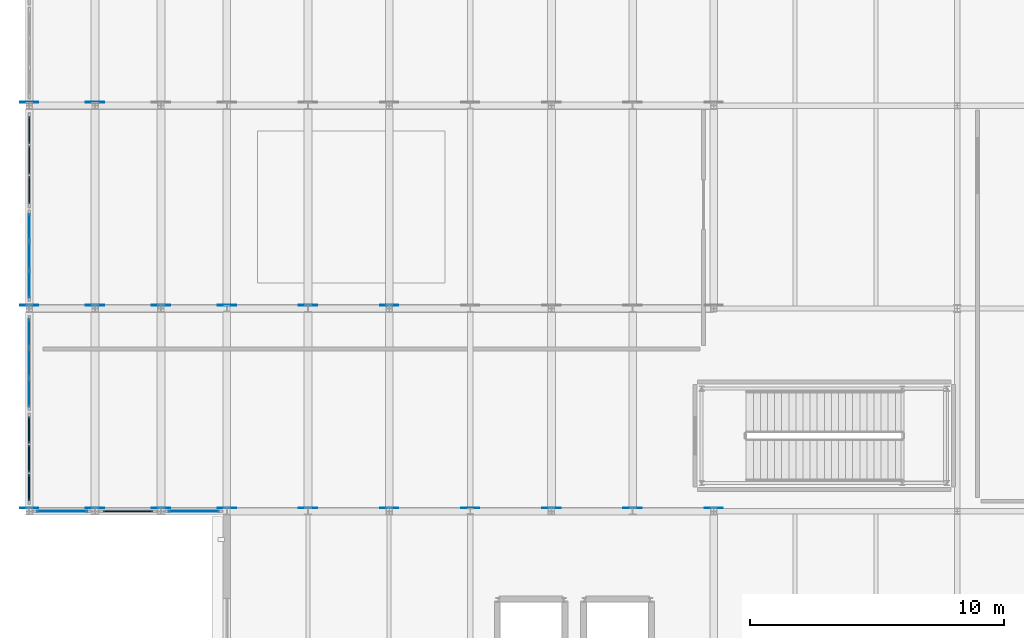
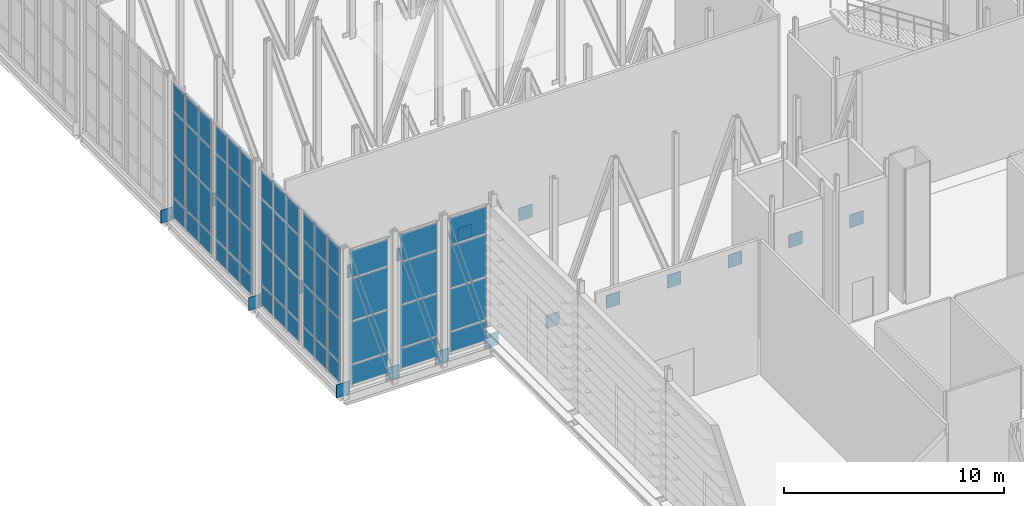
# One storey, part 48 of 73: 78 plates, 7 elements without a shape of their own.
"""IFC4 building model written with IfcOpenShell, lengths in metres."""

from ifc_helpers import new_model, si_unit, direction, frame, origin, origin_2d, place, context, subcontext, project, spatial, rectangle, extrude, material, layer, layer_set, type_object, element, aggregate, save


model = new_model("IFC4")

# Units and contexts
model_context = context("Model", 3, precision=1e-05, world=origin(), true_north=direction((0.0, 1.0)))
body_context = subcontext(model_context, "Body", "Model", "MODEL_VIEW")
ifc_project = project(units=[si_unit("LENGTHUNIT", "METRE"), si_unit("AREAUNIT", "SQUARE_METRE"), si_unit("VOLUMEUNIT", "CUBIC_METRE"), si_unit("PLANEANGLEUNIT", "RADIAN"), si_unit("MASSUNIT", "GRAM", prefix="KILO")], contexts=[model_context])

# Site, building, storey
site_placement = place(None, origin())
site = spatial("IfcSite", under=ifc_project, at=site_placement, CompositionType="ELEMENT")
building_placement = place(site_placement, origin())
building = spatial("IfcBuilding", under=site, at=building_placement, Name="Alderhovde Museum", CompositionType="ELEMENT")
storey_placement = place(building_placement, frame((0.0, 0.0, 17.39990234375)))
storey = spatial("IfcBuildingStorey", under=building, at=storey_placement, Name="L04", CompositionType="ELEMENT", Elevation=17.39990234375)

# Curtain wall, plates
ifc_material_1 = material(Name="Triple-Glazed Bronze-Anodised Curtain Wall", Category="glass")
ifc_layer_1 = layer(ifc_material_1, 0.219970703125)
ifc_layer_set_1 = layer_set([ifc_layer_1], Name="Triple-Glazed Bronze-Anodised Curtain Wall")
curtain_wall_type_1 = type_object("IfcCurtainWallType", Name="CW-UNIT-360x760", PredefinedType="USERDEFINED", material=ifc_layer_set_1)
curtain_wall_1_placement = place(storey_placement, origin())
curtain_wall_1 = element("IfcCurtainWall", 1, at=curtain_wall_1_placement, inside=storey, type_object=curtain_wall_type_1, Name="L04 Unitised Curtain Wall 112", ObjectType="UNITISED CURTAIN WALL", PredefinedType="USERDEFINED")
ifc_material_2 = material(Name="Triple-Glazed Low-E Laminated Glass", Category="glass")
ifc_layer_2 = layer(ifc_material_2, 0.028076171875)
ifc_layer_set_2 = layer_set([ifc_layer_2], Name="Triple-Glazed Low-E Laminated Glass")
plate_type_1 = type_object("IfcPlateType", Name="CWP-GLAZ-28", PredefinedType="CURTAIN_PANEL", material=ifc_layer_set_2)
plate_1_placement = place(storey_placement, frame((1.800048828125, 84.668701171875, 0.0751953125), z_axis=(0.0, 0.0, 1.0), x_axis=(0.0, 1.0, 0.0)))
plate_1 = element("IfcPlate", 2, at=plate_1_placement, type_object=plate_type_1, Name="CW28 panel 1.1", PredefinedType="CURTAIN_PANEL", context=body_context, shape_type="SweptSolid", body=[
    extrude(rectangle(XDim=1.08740234375, YDim=0.028076171875, at=origin_2d()), origin(), (0.0, 0.0, 1.0), 1.08740234375),
])
plate_2_placement = place(storey_placement, frame((1.800048828125, 84.668701171875, 1.23779296875), z_axis=(0.0, 0.0, 1.0), x_axis=(0.0, 1.0, 0.0)))
plate_2 = element("IfcPlate", 3, at=plate_2_placement, type_object=plate_type_1, Name="CW28 panel 1.2", PredefinedType="CURTAIN_PANEL", context=body_context, shape_type="SweptSolid", body=[
    extrude(rectangle(XDim=1.08740234375, YDim=0.028076171875, at=origin_2d()), origin(), (0.0, 0.0, 1.0), 2.324951171875),
])
plate_3_placement = place(storey_placement, frame((1.800048828125, 84.668701171875, 3.6376953125), z_axis=(0.0, 0.0, 1.0), x_axis=(0.0, 1.0, 0.0)))
plate_3 = element("IfcPlate", 4, at=plate_3_placement, type_object=plate_type_1, Name="CW28 panel 1.3", PredefinedType="CURTAIN_PANEL", context=body_context, shape_type="SweptSolid", body=[
    extrude(rectangle(XDim=1.08740234375, YDim=0.028076171875, at=origin_2d()), origin(), (0.0, 0.0, 1.0), 2.324951171875),
])
plate_4_placement = place(storey_placement, frame((1.800048828125, 84.668701171875, 6.03759765625), z_axis=(0.0, 0.0, 1.0), x_axis=(0.0, 1.0, 0.0)))
plate_4 = element("IfcPlate", 5, at=plate_4_placement, type_object=plate_type_1, Name="CW28 panel 1.4", PredefinedType="CURTAIN_PANEL", context=body_context, shape_type="SweptSolid", body=[
    extrude(rectangle(XDim=1.08740234375, YDim=0.028076171875, at=origin_2d()), origin(), (0.0, 0.0, 1.0), 1.487548828125),
])
plate_5_placement = place(storey_placement, frame((1.800048828125, 85.85009765625, 0.0751953125), z_axis=(0.0, 0.0, 1.0), x_axis=(0.0, 1.0, 0.0)))
plate_5 = element("IfcPlate", 6, at=plate_5_placement, type_object=plate_type_1, Name="CW28 panel 2.1", PredefinedType="CURTAIN_PANEL", context=body_context, shape_type="SweptSolid", body=[
    extrude(rectangle(XDim=1.125, YDim=0.028076171875, at=origin_2d()), origin(), (0.0, 0.0, 1.0), 1.08740234375),
])
plate_6_placement = place(storey_placement, frame((1.800048828125, 85.85009765625, 1.23779296875), z_axis=(0.0, 0.0, 1.0), x_axis=(0.0, 1.0, 0.0)))
plate_6 = element("IfcPlate", 7, at=plate_6_placement, type_object=plate_type_1, Name="CW28 panel 2.2", PredefinedType="CURTAIN_PANEL", context=body_context, shape_type="SweptSolid", body=[
    extrude(rectangle(XDim=1.125, YDim=0.028076171875, at=origin_2d()), origin(), (0.0, 0.0, 1.0), 2.324951171875),
])
plate_7_placement = place(storey_placement, frame((1.800048828125, 85.85009765625, 3.6376953125), z_axis=(0.0, 0.0, 1.0), x_axis=(0.0, 1.0, 0.0)))
plate_7 = element("IfcPlate", 8, at=plate_7_placement, type_object=plate_type_1, Name="CW28 panel 2.3", PredefinedType="CURTAIN_PANEL", context=body_context, shape_type="SweptSolid", body=[
    extrude(rectangle(XDim=1.125, YDim=0.028076171875, at=origin_2d()), origin(), (0.0, 0.0, 1.0), 2.324951171875),
])
plate_8_placement = place(storey_placement, frame((1.800048828125, 85.85009765625, 6.03759765625), z_axis=(0.0, 0.0, 1.0), x_axis=(0.0, 1.0, 0.0)))
plate_8 = element("IfcPlate", 9, at=plate_8_placement, type_object=plate_type_1, Name="CW28 panel 2.4", PredefinedType="CURTAIN_PANEL", context=body_context, shape_type="SweptSolid", body=[
    extrude(rectangle(XDim=1.125, YDim=0.028076171875, at=origin_2d()), origin(), (0.0, 0.0, 1.0), 1.487548828125),
])
plate_9_placement = place(storey_placement, frame((1.800048828125, 87.03125, 0.0751953125), z_axis=(0.0, 0.0, 1.0), x_axis=(0.0, 1.0, 0.0)))
plate_9 = element("IfcPlate", 10, at=plate_9_placement, type_object=plate_type_1, Name="CW28 panel 3.1", PredefinedType="CURTAIN_PANEL", context=body_context, shape_type="SweptSolid", body=[
    extrude(rectangle(XDim=1.08740234375, YDim=0.028076171875, at=origin_2d()), origin(), (0.0, 0.0, 1.0), 1.08740234375),
])
plate_10_placement = place(storey_placement, frame((1.800048828125, 87.03125, 1.23779296875), z_axis=(0.0, 0.0, 1.0), x_axis=(0.0, 1.0, 0.0)))
plate_10 = element("IfcPlate", 11, at=plate_10_placement, type_object=plate_type_1, Name="CW28 panel 3.2", PredefinedType="CURTAIN_PANEL", context=body_context, shape_type="SweptSolid", body=[
    extrude(rectangle(XDim=1.08740234375, YDim=0.028076171875, at=origin_2d()), origin(), (0.0, 0.0, 1.0), 2.324951171875),
])
plate_11_placement = place(storey_placement, frame((1.800048828125, 87.03125, 3.6376953125), z_axis=(0.0, 0.0, 1.0), x_axis=(0.0, 1.0, 0.0)))
plate_11 = element("IfcPlate", 12, at=plate_11_placement, type_object=plate_type_1, Name="CW28 panel 3.3", PredefinedType="CURTAIN_PANEL", context=body_context, shape_type="SweptSolid", body=[
    extrude(rectangle(XDim=1.08740234375, YDim=0.028076171875, at=origin_2d()), origin(), (0.0, 0.0, 1.0), 2.324951171875),
])
plate_12_placement = place(storey_placement, frame((1.800048828125, 87.03125, 6.03759765625), z_axis=(0.0, 0.0, 1.0), x_axis=(0.0, 1.0, 0.0)))
plate_12 = element("IfcPlate", 13, at=plate_12_placement, type_object=plate_type_1, Name="CW28 panel 3.4", PredefinedType="CURTAIN_PANEL", context=body_context, shape_type="SweptSolid", body=[
    extrude(rectangle(XDim=1.08740234375, YDim=0.028076171875, at=origin_2d()), origin(), (0.0, 0.0, 1.0), 1.487548828125),
])
aggregate(curtain_wall_1, [plate_1, plate_2, plate_3, plate_4, plate_5, plate_6, plate_7, plate_8, plate_9, plate_10, plate_11, plate_12])

ifc_material_3 = material(Name="Triple-Glazed Bronze-Anodised Curtain Wall", Category="glass")
ifc_layer_3 = layer(ifc_material_3, 0.219970703125)
ifc_layer_set_3 = layer_set([ifc_layer_3], Name="Triple-Glazed Bronze-Anodised Curtain Wall")
curtain_wall_type_2 = type_object("IfcCurtainWallType", Name="CW-UNIT-212x760", PredefinedType="USERDEFINED", material=ifc_layer_set_3)
curtain_wall_2_placement = place(storey_placement, origin())
curtain_wall_2 = element("IfcCurtainWall", 14, at=curtain_wall_2_placement, inside=storey, type_object=curtain_wall_type_2, Name="L04 Unitised Curtain Wall 120", ObjectType="UNITISED CURTAIN WALL", PredefinedType="USERDEFINED")
plate_13_placement = place(storey_placement, frame((3.10009765625, 80.0, 0.0751953125), z_axis=(0.0, 0.0, 1.0), x_axis=(1.0, 0.0, 0.0)))
plate_13 = element("IfcPlate", 15, at=plate_13_placement, type_object=plate_type_1, Name="CW29 panel 1.1", PredefinedType="CURTAIN_PANEL", context=body_context, shape_type="SweptSolid", body=[
    extrude(rectangle(XDim=1.969970703125, YDim=0.028076171875, at=origin_2d()), origin(), (0.0, 0.0, 1.0), 1.08740234375),
])
plate_14_placement = place(storey_placement, frame((3.10009765625, 80.0, 1.23779296875), z_axis=(0.0, 0.0, 1.0), x_axis=(1.0, 0.0, 0.0)))
plate_14 = element("IfcPlate", 16, at=plate_14_placement, type_object=plate_type_1, Name="CW29 panel 1.2", PredefinedType="CURTAIN_PANEL", context=body_context, shape_type="SweptSolid", body=[
    extrude(rectangle(XDim=1.969970703125, YDim=0.028076171875, at=origin_2d()), origin(), (0.0, 0.0, 1.0), 2.324951171875),
])
plate_15_placement = place(storey_placement, frame((3.10009765625, 80.0, 3.6376953125), z_axis=(0.0, 0.0, 1.0), x_axis=(1.0, 0.0, 0.0)))
plate_15 = element("IfcPlate", 17, at=plate_15_placement, type_object=plate_type_1, Name="CW29 panel 1.3", PredefinedType="CURTAIN_PANEL", context=body_context, shape_type="SweptSolid", body=[
    extrude(rectangle(XDim=1.969970703125, YDim=0.028076171875, at=origin_2d()), origin(), (0.0, 0.0, 1.0), 2.324951171875),
])
plate_16_placement = place(storey_placement, frame((3.10009765625, 80.0, 6.03759765625), z_axis=(0.0, 0.0, 1.0), x_axis=(1.0, 0.0, 0.0)))
plate_16 = element("IfcPlate", 18, at=plate_16_placement, type_object=plate_type_1, Name="CW29 panel 1.4", PredefinedType="CURTAIN_PANEL", context=body_context, shape_type="SweptSolid", body=[
    extrude(rectangle(XDim=1.969970703125, YDim=0.028076171875, at=origin_2d()), origin(), (0.0, 0.0, 1.0), 1.487548828125),
])
aggregate(curtain_wall_2, [plate_13, plate_14, plate_15, plate_16])

curtain_wall_3_placement = place(storey_placement, origin())
curtain_wall_3 = element("IfcCurtainWall", 19, at=curtain_wall_3_placement, inside=storey, type_object=curtain_wall_type_2, Name="L04 Unitised Curtain Wall 124", ObjectType="UNITISED CURTAIN WALL", PredefinedType="USERDEFINED")
plate_17_placement = place(storey_placement, frame((8.300048828125, 80.0, 0.0751953125), z_axis=(0.0, 0.0, 1.0), x_axis=(1.0, 0.0, 0.0)))
plate_17 = element("IfcPlate", 20, at=plate_17_placement, type_object=plate_type_1, Name="CW29 panel 1.1", PredefinedType="CURTAIN_PANEL", context=body_context, shape_type="SweptSolid", body=[
    extrude(rectangle(XDim=1.969970703125, YDim=0.028076171875, at=origin_2d()), origin(), (0.0, 0.0, 1.0), 1.08740234375),
])
plate_18_placement = place(storey_placement, frame((8.300048828125, 80.0, 1.23779296875), z_axis=(0.0, 0.0, 1.0), x_axis=(1.0, 0.0, 0.0)))
plate_18 = element("IfcPlate", 21, at=plate_18_placement, type_object=plate_type_1, Name="CW29 panel 1.2", PredefinedType="CURTAIN_PANEL", context=body_context, shape_type="SweptSolid", body=[
    extrude(rectangle(XDim=1.969970703125, YDim=0.028076171875, at=origin_2d()), origin(), (0.0, 0.0, 1.0), 2.324951171875),
])
plate_19_placement = place(storey_placement, frame((8.300048828125, 80.0, 3.6376953125), z_axis=(0.0, 0.0, 1.0), x_axis=(1.0, 0.0, 0.0)))
plate_19 = element("IfcPlate", 22, at=plate_19_placement, type_object=plate_type_1, Name="CW29 panel 1.3", PredefinedType="CURTAIN_PANEL", context=body_context, shape_type="SweptSolid", body=[
    extrude(rectangle(XDim=1.969970703125, YDim=0.028076171875, at=origin_2d()), origin(), (0.0, 0.0, 1.0), 2.324951171875),
])
plate_20_placement = place(storey_placement, frame((8.300048828125, 80.0, 6.03759765625), z_axis=(0.0, 0.0, 1.0), x_axis=(1.0, 0.0, 0.0)))
plate_20 = element("IfcPlate", 23, at=plate_20_placement, type_object=plate_type_1, Name="CW29 panel 1.4", PredefinedType="CURTAIN_PANEL", context=body_context, shape_type="SweptSolid", body=[
    extrude(rectangle(XDim=1.969970703125, YDim=0.028076171875, at=origin_2d()), origin(), (0.0, 0.0, 1.0), 1.487548828125),
])
aggregate(curtain_wall_3, [plate_17, plate_18, plate_19, plate_20])

ifc_material_4 = material(Name="Triple-Glazed Bronze-Anodised Curtain Wall", Category="glass")
ifc_layer_4 = layer(ifc_material_4, 0.219970703125)
ifc_layer_set_4 = layer_set([ifc_layer_4], Name="Triple-Glazed Bronze-Anodised Curtain Wall")
curtain_wall_type_3 = type_object("IfcCurtainWallType", Name="CW-UNIT-345x760", PredefinedType="USERDEFINED", material=ifc_layer_set_4)
curtain_wall_4_placement = place(storey_placement, origin())
curtain_wall_4 = element("IfcCurtainWall", 24, at=curtain_wall_4_placement, inside=storey, type_object=curtain_wall_type_3, Name="L04 Unitised Curtain Wall 113", ObjectType="UNITISED CURTAIN WALL", PredefinedType="USERDEFINED")
ifc_material_5 = material(Name="Triple-Glazed Low-E Laminated Glass", Category="glass")
ifc_layer_5 = layer(ifc_material_5, 0.035888671875)
ifc_layer_set_5 = layer_set([ifc_layer_5], Name="Triple-Glazed Low-E Laminated Glass")
plate_type_2 = type_object("IfcPlateType", Name="CWP-GLAZ-36", PredefinedType="CURTAIN_PANEL", material=ifc_layer_set_5)
plate_21_placement = place(storey_placement, frame((1.800048828125, 88.94384765625, 0.0751953125), z_axis=(0.0, 0.0, 1.0), x_axis=(0.0, 1.0, 0.0)))
plate_21 = element("IfcPlate", 25, at=plate_21_placement, type_object=plate_type_2, Name="CW27 panel 1.1", PredefinedType="CURTAIN_PANEL", context=body_context, shape_type="SweptSolid", body=[
    extrude(rectangle(XDim=1.03759765625, YDim=0.035888671875, at=origin_2d()), origin(), (0.0, 0.0, 1.0), 1.08740234375),
])
plate_22_placement = place(storey_placement, frame((1.800048828125, 88.94384765625, 1.23779296875), z_axis=(0.0, 0.0, 1.0), x_axis=(0.0, 1.0, 0.0)))
plate_22 = element("IfcPlate", 26, at=plate_22_placement, type_object=plate_type_2, Name="CW27 panel 1.2", PredefinedType="CURTAIN_PANEL", context=body_context, shape_type="SweptSolid", body=[
    extrude(rectangle(XDim=1.03759765625, YDim=0.035888671875, at=origin_2d()), origin(), (0.0, 0.0, 1.0), 2.324951171875),
])
plate_23_placement = place(storey_placement, frame((1.800048828125, 88.94384765625, 3.6376953125), z_axis=(0.0, 0.0, 1.0), x_axis=(0.0, 1.0, 0.0)))
plate_23 = element("IfcPlate", 27, at=plate_23_placement, type_object=plate_type_2, Name="CW27 panel 1.3", PredefinedType="CURTAIN_PANEL", context=body_context, shape_type="SweptSolid", body=[
    extrude(rectangle(XDim=1.03759765625, YDim=0.035888671875, at=origin_2d()), origin(), (0.0, 0.0, 1.0), 2.324951171875),
])
plate_24_placement = place(storey_placement, frame((1.800048828125, 88.94384765625, 6.03759765625), z_axis=(0.0, 0.0, 1.0), x_axis=(0.0, 1.0, 0.0)))
plate_24 = element("IfcPlate", 28, at=plate_24_placement, type_object=plate_type_2, Name="CW27 panel 1.4", PredefinedType="CURTAIN_PANEL", context=body_context, shape_type="SweptSolid", body=[
    extrude(rectangle(XDim=1.03759765625, YDim=0.035888671875, at=origin_2d()), origin(), (0.0, 0.0, 1.0), 1.487548828125),
])
plate_25_placement = place(storey_placement, frame((1.800048828125, 90.074951171875, 0.0751953125), z_axis=(0.0, 0.0, 1.0), x_axis=(0.0, 1.0, 0.0)))
plate_25 = element("IfcPlate", 29, at=plate_25_placement, type_object=plate_type_2, Name="CW27 panel 2.1", PredefinedType="CURTAIN_PANEL", context=body_context, shape_type="SweptSolid", body=[
    extrude(rectangle(XDim=1.074951171875, YDim=0.035888671875, at=origin_2d()), origin(), (0.0, 0.0, 1.0), 1.08740234375),
])
plate_26_placement = place(storey_placement, frame((1.800048828125, 90.074951171875, 1.23779296875), z_axis=(0.0, 0.0, 1.0), x_axis=(0.0, 1.0, 0.0)))
plate_26 = element("IfcPlate", 30, at=plate_26_placement, type_object=plate_type_2, Name="CW27 panel 2.2", PredefinedType="CURTAIN_PANEL", context=body_context, shape_type="SweptSolid", body=[
    extrude(rectangle(XDim=1.074951171875, YDim=0.035888671875, at=origin_2d()), origin(), (0.0, 0.0, 1.0), 2.324951171875),
])
plate_27_placement = place(storey_placement, frame((1.800048828125, 90.074951171875, 3.6376953125), z_axis=(0.0, 0.0, 1.0), x_axis=(0.0, 1.0, 0.0)))
plate_27 = element("IfcPlate", 31, at=plate_27_placement, type_object=plate_type_2, Name="CW27 panel 2.3", PredefinedType="CURTAIN_PANEL", context=body_context, shape_type="SweptSolid", body=[
    extrude(rectangle(XDim=1.074951171875, YDim=0.035888671875, at=origin_2d()), origin(), (0.0, 0.0, 1.0), 2.324951171875),
])
plate_28_placement = place(storey_placement, frame((1.800048828125, 90.074951171875, 6.03759765625), z_axis=(0.0, 0.0, 1.0), x_axis=(0.0, 1.0, 0.0)))
plate_28 = element("IfcPlate", 32, at=plate_28_placement, type_object=plate_type_2, Name="CW27 panel 2.4", PredefinedType="CURTAIN_PANEL", context=body_context, shape_type="SweptSolid", body=[
    extrude(rectangle(XDim=1.074951171875, YDim=0.035888671875, at=origin_2d()), origin(), (0.0, 0.0, 1.0), 1.487548828125),
])
plate_29_placement = place(storey_placement, frame((1.800048828125, 91.206298828125, 0.0751953125), z_axis=(0.0, 0.0, 1.0), x_axis=(0.0, 1.0, 0.0)))
plate_29 = element("IfcPlate", 33, at=plate_29_placement, type_object=plate_type_2, Name="CW27 panel 3.1", PredefinedType="CURTAIN_PANEL", context=body_context, shape_type="SweptSolid", body=[
    extrude(rectangle(XDim=1.03759765625, YDim=0.035888671875, at=origin_2d()), origin(), (0.0, 0.0, 1.0), 1.08740234375),
])
plate_30_placement = place(storey_placement, frame((1.800048828125, 91.206298828125, 1.23779296875), z_axis=(0.0, 0.0, 1.0), x_axis=(0.0, 1.0, 0.0)))
plate_30 = element("IfcPlate", 34, at=plate_30_placement, type_object=plate_type_2, Name="CW27 panel 3.2", PredefinedType="CURTAIN_PANEL", context=body_context, shape_type="SweptSolid", body=[
    extrude(rectangle(XDim=1.03759765625, YDim=0.035888671875, at=origin_2d()), origin(), (0.0, 0.0, 1.0), 2.324951171875),
])
plate_31_placement = place(storey_placement, frame((1.800048828125, 91.206298828125, 3.6376953125), z_axis=(0.0, 0.0, 1.0), x_axis=(0.0, 1.0, 0.0)))
plate_31 = element("IfcPlate", 35, at=plate_31_placement, type_object=plate_type_2, Name="CW27 panel 3.3", PredefinedType="CURTAIN_PANEL", context=body_context, shape_type="SweptSolid", body=[
    extrude(rectangle(XDim=1.03759765625, YDim=0.035888671875, at=origin_2d()), origin(), (0.0, 0.0, 1.0), 2.324951171875),
])
plate_32_placement = place(storey_placement, frame((1.800048828125, 91.206298828125, 6.03759765625), z_axis=(0.0, 0.0, 1.0), x_axis=(0.0, 1.0, 0.0)))
plate_32 = element("IfcPlate", 36, at=plate_32_placement, type_object=plate_type_2, Name="CW27 panel 3.4", PredefinedType="CURTAIN_PANEL", context=body_context, shape_type="SweptSolid", body=[
    extrude(rectangle(XDim=1.03759765625, YDim=0.035888671875, at=origin_2d()), origin(), (0.0, 0.0, 1.0), 1.487548828125),
])
aggregate(curtain_wall_4, [plate_21, plate_22, plate_23, plate_24, plate_25, plate_26, plate_27, plate_28, plate_29, plate_30, plate_31, plate_32])

curtain_wall_5_placement = place(storey_placement, origin())
curtain_wall_5 = element("IfcCurtainWall", 37, at=curtain_wall_5_placement, inside=storey, type_object=curtain_wall_type_1, Name="L04 Unitised Curtain Wall 114", ObjectType="UNITISED CURTAIN WALL", PredefinedType="USERDEFINED")
ifc_material_6 = material(Name="Triple-Glazed Low-E Laminated Glass", Category="glass")
ifc_layer_6 = layer(ifc_material_6, 0.0439453125)
ifc_layer_set_6 = layer_set([ifc_layer_6], Name="Triple-Glazed Low-E Laminated Glass")
plate_type_3 = type_object("IfcPlateType", Name="CWP-GLAZ-44", PredefinedType="CURTAIN_PANEL", material=ifc_layer_set_6)
plate_33_placement = place(storey_placement, frame((1.800048828125, 92.668701171875, 0.0751953125), z_axis=(0.0, 0.0, 1.0), x_axis=(0.0, 1.0, 0.0)))
plate_33 = element("IfcPlate", 38, at=plate_33_placement, type_object=plate_type_3, Name="CW28 panel 1.1", PredefinedType="CURTAIN_PANEL", context=body_context, shape_type="SweptSolid", body=[
    extrude(rectangle(XDim=1.08740234375, YDim=0.0439453125, at=origin_2d()), origin(), (0.0, 0.0, 1.0), 1.08740234375),
])
plate_34_placement = place(storey_placement, frame((1.800048828125, 92.668701171875, 1.23779296875), z_axis=(0.0, 0.0, 1.0), x_axis=(0.0, 1.0, 0.0)))
plate_34 = element("IfcPlate", 39, at=plate_34_placement, type_object=plate_type_3, Name="CW28 panel 1.2", PredefinedType="CURTAIN_PANEL", context=body_context, shape_type="SweptSolid", body=[
    extrude(rectangle(XDim=1.08740234375, YDim=0.0439453125, at=origin_2d()), origin(), (0.0, 0.0, 1.0), 2.324951171875),
])
plate_35_placement = place(storey_placement, frame((1.800048828125, 92.668701171875, 3.6376953125), z_axis=(0.0, 0.0, 1.0), x_axis=(0.0, 1.0, 0.0)))
plate_35 = element("IfcPlate", 40, at=plate_35_placement, type_object=plate_type_3, Name="CW28 panel 1.3", PredefinedType="CURTAIN_PANEL", context=body_context, shape_type="SweptSolid", body=[
    extrude(rectangle(XDim=1.08740234375, YDim=0.0439453125, at=origin_2d()), origin(), (0.0, 0.0, 1.0), 2.324951171875),
])
plate_36_placement = place(storey_placement, frame((1.800048828125, 92.668701171875, 6.03759765625), z_axis=(0.0, 0.0, 1.0), x_axis=(0.0, 1.0, 0.0)))
plate_36 = element("IfcPlate", 41, at=plate_36_placement, type_object=plate_type_3, Name="CW28 panel 1.4", PredefinedType="CURTAIN_PANEL", context=body_context, shape_type="SweptSolid", body=[
    extrude(rectangle(XDim=1.08740234375, YDim=0.0439453125, at=origin_2d()), origin(), (0.0, 0.0, 1.0), 1.487548828125),
])
plate_37_placement = place(storey_placement, frame((1.800048828125, 93.85009765625, 0.0751953125), z_axis=(0.0, 0.0, 1.0), x_axis=(0.0, 1.0, 0.0)))
plate_37 = element("IfcPlate", 42, at=plate_37_placement, type_object=plate_type_3, Name="CW28 panel 2.1", PredefinedType="CURTAIN_PANEL", context=body_context, shape_type="SweptSolid", body=[
    extrude(rectangle(XDim=1.125, YDim=0.0439453125, at=origin_2d()), origin(), (0.0, 0.0, 1.0), 1.08740234375),
])
plate_38_placement = place(storey_placement, frame((1.800048828125, 93.85009765625, 1.23779296875), z_axis=(0.0, 0.0, 1.0), x_axis=(0.0, 1.0, 0.0)))
plate_38 = element("IfcPlate", 43, at=plate_38_placement, type_object=plate_type_3, Name="CW28 panel 2.2", PredefinedType="CURTAIN_PANEL", context=body_context, shape_type="SweptSolid", body=[
    extrude(rectangle(XDim=1.125, YDim=0.0439453125, at=origin_2d()), origin(), (0.0, 0.0, 1.0), 2.324951171875),
])
plate_39_placement = place(storey_placement, frame((1.800048828125, 93.85009765625, 3.6376953125), z_axis=(0.0, 0.0, 1.0), x_axis=(0.0, 1.0, 0.0)))
plate_39 = element("IfcPlate", 44, at=plate_39_placement, type_object=plate_type_3, Name="CW28 panel 2.3", PredefinedType="CURTAIN_PANEL", context=body_context, shape_type="SweptSolid", body=[
    extrude(rectangle(XDim=1.125, YDim=0.0439453125, at=origin_2d()), origin(), (0.0, 0.0, 1.0), 2.324951171875),
])
plate_40_placement = place(storey_placement, frame((1.800048828125, 93.85009765625, 6.03759765625), z_axis=(0.0, 0.0, 1.0), x_axis=(0.0, 1.0, 0.0)))
plate_40 = element("IfcPlate", 45, at=plate_40_placement, type_object=plate_type_3, Name="CW28 panel 2.4", PredefinedType="CURTAIN_PANEL", context=body_context, shape_type="SweptSolid", body=[
    extrude(rectangle(XDim=1.125, YDim=0.0439453125, at=origin_2d()), origin(), (0.0, 0.0, 1.0), 1.487548828125),
])
plate_41_placement = place(storey_placement, frame((1.800048828125, 95.03125, 0.0751953125), z_axis=(0.0, 0.0, 1.0), x_axis=(0.0, 1.0, 0.0)))
plate_41 = element("IfcPlate", 46, at=plate_41_placement, type_object=plate_type_3, Name="CW28 panel 3.1", PredefinedType="CURTAIN_PANEL", context=body_context, shape_type="SweptSolid", body=[
    extrude(rectangle(XDim=1.08740234375, YDim=0.0439453125, at=origin_2d()), origin(), (0.0, 0.0, 1.0), 1.08740234375),
])
plate_42_placement = place(storey_placement, frame((1.800048828125, 95.03125, 1.23779296875), z_axis=(0.0, 0.0, 1.0), x_axis=(0.0, 1.0, 0.0)))
plate_42 = element("IfcPlate", 47, at=plate_42_placement, type_object=plate_type_3, Name="CW28 panel 3.2", PredefinedType="CURTAIN_PANEL", context=body_context, shape_type="SweptSolid", body=[
    extrude(rectangle(XDim=1.08740234375, YDim=0.0439453125, at=origin_2d()), origin(), (0.0, 0.0, 1.0), 2.324951171875),
])
plate_43_placement = place(storey_placement, frame((1.800048828125, 95.03125, 3.6376953125), z_axis=(0.0, 0.0, 1.0), x_axis=(0.0, 1.0, 0.0)))
plate_43 = element("IfcPlate", 48, at=plate_43_placement, type_object=plate_type_3, Name="CW28 panel 3.3", PredefinedType="CURTAIN_PANEL", context=body_context, shape_type="SweptSolid", body=[
    extrude(rectangle(XDim=1.08740234375, YDim=0.0439453125, at=origin_2d()), origin(), (0.0, 0.0, 1.0), 2.324951171875),
])
plate_44_placement = place(storey_placement, frame((1.800048828125, 95.03125, 6.03759765625), z_axis=(0.0, 0.0, 1.0), x_axis=(0.0, 1.0, 0.0)))
plate_44 = element("IfcPlate", 49, at=plate_44_placement, type_object=plate_type_3, Name="CW28 panel 3.4", PredefinedType="CURTAIN_PANEL", context=body_context, shape_type="SweptSolid", body=[
    extrude(rectangle(XDim=1.08740234375, YDim=0.0439453125, at=origin_2d()), origin(), (0.0, 0.0, 1.0), 1.487548828125),
])
aggregate(curtain_wall_5, [plate_33, plate_34, plate_35, plate_36, plate_37, plate_38, plate_39, plate_40, plate_41, plate_42, plate_43, plate_44])

curtain_wall_6_placement = place(storey_placement, origin())
curtain_wall_6 = element("IfcCurtainWall", 50, at=curtain_wall_6_placement, inside=storey, type_object=curtain_wall_type_2, Name="L04 Unitised Curtain Wall 122", ObjectType="UNITISED CURTAIN WALL", PredefinedType="USERDEFINED")
plate_45_placement = place(storey_placement, frame((5.699951171875, 80.0, 0.0751953125), z_axis=(0.0, 0.0, 1.0), x_axis=(1.0, 0.0, 0.0)))
plate_45 = element("IfcPlate", 51, at=plate_45_placement, type_object=plate_type_3, Name="CW29 panel 1.1", PredefinedType="CURTAIN_PANEL", context=body_context, shape_type="SweptSolid", body=[
    extrude(rectangle(XDim=1.969970703125, YDim=0.0439453125, at=origin_2d()), origin(), (0.0, 0.0, 1.0), 1.08740234375),
])
plate_46_placement = place(storey_placement, frame((5.699951171875, 80.0, 1.23779296875), z_axis=(0.0, 0.0, 1.0), x_axis=(1.0, 0.0, 0.0)))
plate_46 = element("IfcPlate", 52, at=plate_46_placement, type_object=plate_type_3, Name="CW29 panel 1.2", PredefinedType="CURTAIN_PANEL", context=body_context, shape_type="SweptSolid", body=[
    extrude(rectangle(XDim=1.969970703125, YDim=0.0439453125, at=origin_2d()), origin(), (0.0, 0.0, 1.0), 2.324951171875),
])
plate_47_placement = place(storey_placement, frame((5.699951171875, 80.0, 3.6376953125), z_axis=(0.0, 0.0, 1.0), x_axis=(1.0, 0.0, 0.0)))
plate_47 = element("IfcPlate", 53, at=plate_47_placement, type_object=plate_type_3, Name="CW29 panel 1.3", PredefinedType="CURTAIN_PANEL", context=body_context, shape_type="SweptSolid", body=[
    extrude(rectangle(XDim=1.969970703125, YDim=0.0439453125, at=origin_2d()), origin(), (0.0, 0.0, 1.0), 2.324951171875),
])
plate_48_placement = place(storey_placement, frame((5.699951171875, 80.0, 6.03759765625), z_axis=(0.0, 0.0, 1.0), x_axis=(1.0, 0.0, 0.0)))
plate_48 = element("IfcPlate", 54, at=plate_48_placement, type_object=plate_type_3, Name="CW29 panel 1.4", PredefinedType="CURTAIN_PANEL", context=body_context, shape_type="SweptSolid", body=[
    extrude(rectangle(XDim=1.969970703125, YDim=0.0439453125, at=origin_2d()), origin(), (0.0, 0.0, 1.0), 1.487548828125),
])
aggregate(curtain_wall_6, [plate_45, plate_46, plate_47, plate_48])

curtain_wall_7_placement = place(storey_placement, origin())
curtain_wall_7 = element("IfcCurtainWall", 55, at=curtain_wall_7_placement, inside=storey, type_object=curtain_wall_type_3, Name="L04 Unitised Curtain Wall 111", ObjectType="UNITISED CURTAIN WALL", PredefinedType="USERDEFINED")
ifc_material_7 = material(Name="Triple-Glazed Low-E Laminated Glass", Category="glass")
ifc_layer_7 = layer(ifc_material_7, 0.052001953125)
ifc_layer_set_7 = layer_set([ifc_layer_7], Name="Triple-Glazed Low-E Laminated Glass")
plate_type_4 = type_object("IfcPlateType", Name="CWP-GLAZ-52", PredefinedType="CURTAIN_PANEL", material=ifc_layer_set_7)
plate_49_placement = place(storey_placement, frame((1.800048828125, 80.94384765625, 0.0751953125), z_axis=(0.0, 0.0, 1.0), x_axis=(0.0, 1.0, 0.0)))
plate_49 = element("IfcPlate", 56, at=plate_49_placement, type_object=plate_type_4, Name="CW27 panel 1.1", PredefinedType="CURTAIN_PANEL", context=body_context, shape_type="SweptSolid", body=[
    extrude(rectangle(XDim=1.03759765625, YDim=0.052001953125, at=origin_2d()), origin(), (0.0, 0.0, 1.0), 1.08740234375),
])
plate_50_placement = place(storey_placement, frame((1.800048828125, 80.94384765625, 1.23779296875), z_axis=(0.0, 0.0, 1.0), x_axis=(0.0, 1.0, 0.0)))
plate_50 = element("IfcPlate", 57, at=plate_50_placement, type_object=plate_type_4, Name="CW27 panel 1.2", PredefinedType="CURTAIN_PANEL", context=body_context, shape_type="SweptSolid", body=[
    extrude(rectangle(XDim=1.03759765625, YDim=0.052001953125, at=origin_2d()), origin(), (0.0, 0.0, 1.0), 2.324951171875),
])
plate_51_placement = place(storey_placement, frame((1.800048828125, 80.94384765625, 3.6376953125), z_axis=(0.0, 0.0, 1.0), x_axis=(0.0, 1.0, 0.0)))
plate_51 = element("IfcPlate", 58, at=plate_51_placement, type_object=plate_type_4, Name="CW27 panel 1.3", PredefinedType="CURTAIN_PANEL", context=body_context, shape_type="SweptSolid", body=[
    extrude(rectangle(XDim=1.03759765625, YDim=0.052001953125, at=origin_2d()), origin(), (0.0, 0.0, 1.0), 2.324951171875),
])
plate_52_placement = place(storey_placement, frame((1.800048828125, 80.94384765625, 6.03759765625), z_axis=(0.0, 0.0, 1.0), x_axis=(0.0, 1.0, 0.0)))
plate_52 = element("IfcPlate", 59, at=plate_52_placement, type_object=plate_type_4, Name="CW27 panel 1.4", PredefinedType="CURTAIN_PANEL", context=body_context, shape_type="SweptSolid", body=[
    extrude(rectangle(XDim=1.03759765625, YDim=0.052001953125, at=origin_2d()), origin(), (0.0, 0.0, 1.0), 1.487548828125),
])
plate_53_placement = place(storey_placement, frame((1.800048828125, 82.074951171875, 0.0751953125), z_axis=(0.0, 0.0, 1.0), x_axis=(0.0, 1.0, 0.0)))
plate_53 = element("IfcPlate", 60, at=plate_53_placement, type_object=plate_type_4, Name="CW27 panel 2.1", PredefinedType="CURTAIN_PANEL", context=body_context, shape_type="SweptSolid", body=[
    extrude(rectangle(XDim=1.074951171875, YDim=0.052001953125, at=origin_2d()), origin(), (0.0, 0.0, 1.0), 1.08740234375),
])
plate_54_placement = place(storey_placement, frame((1.800048828125, 82.074951171875, 1.23779296875), z_axis=(0.0, 0.0, 1.0), x_axis=(0.0, 1.0, 0.0)))
plate_54 = element("IfcPlate", 61, at=plate_54_placement, type_object=plate_type_4, Name="CW27 panel 2.2", PredefinedType="CURTAIN_PANEL", context=body_context, shape_type="SweptSolid", body=[
    extrude(rectangle(XDim=1.074951171875, YDim=0.052001953125, at=origin_2d()), origin(), (0.0, 0.0, 1.0), 2.324951171875),
])
plate_55_placement = place(storey_placement, frame((1.800048828125, 82.074951171875, 3.6376953125), z_axis=(0.0, 0.0, 1.0), x_axis=(0.0, 1.0, 0.0)))
plate_55 = element("IfcPlate", 62, at=plate_55_placement, type_object=plate_type_4, Name="CW27 panel 2.3", PredefinedType="CURTAIN_PANEL", context=body_context, shape_type="SweptSolid", body=[
    extrude(rectangle(XDim=1.074951171875, YDim=0.052001953125, at=origin_2d()), origin(), (0.0, 0.0, 1.0), 2.324951171875),
])
plate_56_placement = place(storey_placement, frame((1.800048828125, 82.074951171875, 6.03759765625), z_axis=(0.0, 0.0, 1.0), x_axis=(0.0, 1.0, 0.0)))
plate_56 = element("IfcPlate", 63, at=plate_56_placement, type_object=plate_type_4, Name="CW27 panel 2.4", PredefinedType="CURTAIN_PANEL", context=body_context, shape_type="SweptSolid", body=[
    extrude(rectangle(XDim=1.074951171875, YDim=0.052001953125, at=origin_2d()), origin(), (0.0, 0.0, 1.0), 1.487548828125),
])
plate_57_placement = place(storey_placement, frame((1.800048828125, 83.206298828125, 0.0751953125), z_axis=(0.0, 0.0, 1.0), x_axis=(0.0, 1.0, 0.0)))
plate_57 = element("IfcPlate", 64, at=plate_57_placement, type_object=plate_type_4, Name="CW27 panel 3.1", PredefinedType="CURTAIN_PANEL", context=body_context, shape_type="SweptSolid", body=[
    extrude(rectangle(XDim=1.03759765625, YDim=0.052001953125, at=origin_2d()), origin(), (0.0, 0.0, 1.0), 1.08740234375),
])
plate_58_placement = place(storey_placement, frame((1.800048828125, 83.206298828125, 1.23779296875), z_axis=(0.0, 0.0, 1.0), x_axis=(0.0, 1.0, 0.0)))
plate_58 = element("IfcPlate", 65, at=plate_58_placement, type_object=plate_type_4, Name="CW27 panel 3.2", PredefinedType="CURTAIN_PANEL", context=body_context, shape_type="SweptSolid", body=[
    extrude(rectangle(XDim=1.03759765625, YDim=0.052001953125, at=origin_2d()), origin(), (0.0, 0.0, 1.0), 2.324951171875),
])
plate_59_placement = place(storey_placement, frame((1.800048828125, 83.206298828125, 3.6376953125), z_axis=(0.0, 0.0, 1.0), x_axis=(0.0, 1.0, 0.0)))
plate_59 = element("IfcPlate", 66, at=plate_59_placement, type_object=plate_type_4, Name="CW27 panel 3.3", PredefinedType="CURTAIN_PANEL", context=body_context, shape_type="SweptSolid", body=[
    extrude(rectangle(XDim=1.03759765625, YDim=0.052001953125, at=origin_2d()), origin(), (0.0, 0.0, 1.0), 2.324951171875),
])
plate_60_placement = place(storey_placement, frame((1.800048828125, 83.206298828125, 6.03759765625), z_axis=(0.0, 0.0, 1.0), x_axis=(0.0, 1.0, 0.0)))
plate_60 = element("IfcPlate", 67, at=plate_60_placement, type_object=plate_type_4, Name="CW27 panel 3.4", PredefinedType="CURTAIN_PANEL", context=body_context, shape_type="SweptSolid", body=[
    extrude(rectangle(XDim=1.03759765625, YDim=0.052001953125, at=origin_2d()), origin(), (0.0, 0.0, 1.0), 1.487548828125),
])
aggregate(curtain_wall_7, [plate_49, plate_50, plate_51, plate_52, plate_53, plate_54, plate_55, plate_56, plate_57, plate_58, plate_59, plate_60])

# Plates
ifc_material_8 = material(Name="Steel S355J2", Category="steel")
ifc_layer_8 = layer(ifc_material_8, 0.028076171875)
ifc_layer_set_8 = layer_set([ifc_layer_8], Name="Steel S355J2")
plate_type_5 = type_object("IfcPlateType", Name="PLT-GUSSET-28", PredefinedType="USERDEFINED", material=ifc_layer_set_8)
for number, where, z_axis, x_axis, name in (
    (68, (1.800048828125, 80.1298828125, -0.48974609375), (0.0, 0.0, 1.0), (1.0, 0.0, 0.0), "Transfer Truss Gusset Plate Y=80 T2-1"),
    (69, (4.39990234375, 80.1298828125, -0.48974609375), (0.0, 0.0, 1.0), (1.0, 0.0, 0.0), "Transfer Truss Gusset Plate Y=80 T2-2"),
    (70, (7.0, 80.1298828125, -0.48974609375), (0.0, 0.0, 1.0), (1.0, 0.0, 0.0), "Transfer Truss Gusset Plate Y=80 T2-3"),
    (71, (9.60009765625, 80.1298828125, -0.48974609375), (0.0, 0.0, 1.0), (1.0, 0.0, 0.0), "Transfer Truss Gusset Plate Y=80 T2-4"),
    (72, (12.800048828125, 80.1298828125, -0.48974609375), (0.0, 0.0, 1.0), (1.0, 0.0, 0.0), "Transfer Truss Gusset Plate Y=80 T2-5"),
    (73, (16.0, 80.1298828125, -0.48974609375), (0.0, 0.0, 1.0), (1.0, 0.0, 0.0), "Transfer Truss Gusset Plate Y=80 T2-6"),
    (74, (19.199951171875, 80.1298828125, -0.48974609375), (0.0, 0.0, 1.0), (1.0, 0.0, 0.0), "Transfer Truss Gusset Plate Y=80 T2-7"),
    (75, (22.39990234375, 80.1298828125, -0.48974609375), (0.0, 0.0, 1.0), (1.0, 0.0, 0.0), "Transfer Truss Gusset Plate Y=80 T2-8"),
    (76, (25.60009765625, 80.1298828125, -0.48974609375), (0.0, 0.0, 1.0), (1.0, 0.0, 0.0), "Transfer Truss Gusset Plate Y=80 T2-9"),
    (77, (28.800048828125, 80.1298828125, -0.48974609375), (0.0, 0.0, 1.0), (1.0, 0.0, 0.0), "Transfer Truss Gusset Plate Y=80 T2-10"),
    (78, (1.800048828125, 88.1298828125, -0.48974609375), (0.0, 0.0, 1.0), (1.0, 0.0, 0.0), "Transfer Truss Gusset Plate Y=88 T2-1"),
    (79, (4.39990234375, 88.1298828125, -0.48974609375), (0.0, 0.0, 1.0), (1.0, 0.0, 0.0), "Transfer Truss Gusset Plate Y=88 T2-2"),
    (80, (7.0, 88.1298828125, -0.48974609375), (0.0, 0.0, 1.0), (1.0, 0.0, 0.0), "Transfer Truss Gusset Plate Y=88 T2-3"),
    (81, (9.60009765625, 88.1298828125, -0.48974609375), (0.0, 0.0, 1.0), (1.0, 0.0, 0.0), "Transfer Truss Gusset Plate Y=88 T2-4"),
    (82, (12.800048828125, 88.1298828125, -0.48974609375), (0.0, 0.0, 1.0), (1.0, 0.0, 0.0), "Transfer Truss Gusset Plate Y=88 T2-5"),
    (83, (16.0, 88.1298828125, -0.48974609375), (0.0, 0.0, 1.0), (1.0, 0.0, 0.0), "Transfer Truss Gusset Plate Y=88 T2-6"),
    (84, (1.800048828125, 96.1298828125, -0.48974609375), (0.0, 0.0, 1.0), (1.0, 0.0, 0.0), "Transfer Truss Gusset Plate Y=96 T2-1"),
    (85, (4.39990234375, 96.1298828125, -0.48974609375), (0.0, 0.0, 1.0), (1.0, 0.0, 0.0), "Transfer Truss Gusset Plate Y=96 T2-2"),
):
    element("IfcPlate", number, at=place(storey_placement, frame(where, z_axis=z_axis, x_axis=x_axis)), inside=storey, type_object=plate_type_5, Name=name, ObjectType="GUSSET PLATE", PredefinedType="USERDEFINED", context=body_context, shape_type="SweptSolid", body=[
        extrude(rectangle(XDim=0.719970703125, YDim=0.028076171875, at=origin_2d()), origin(), (0.0, 0.0, 1.0), 0.719970703125),
    ])

save(model, "model.ifc")
